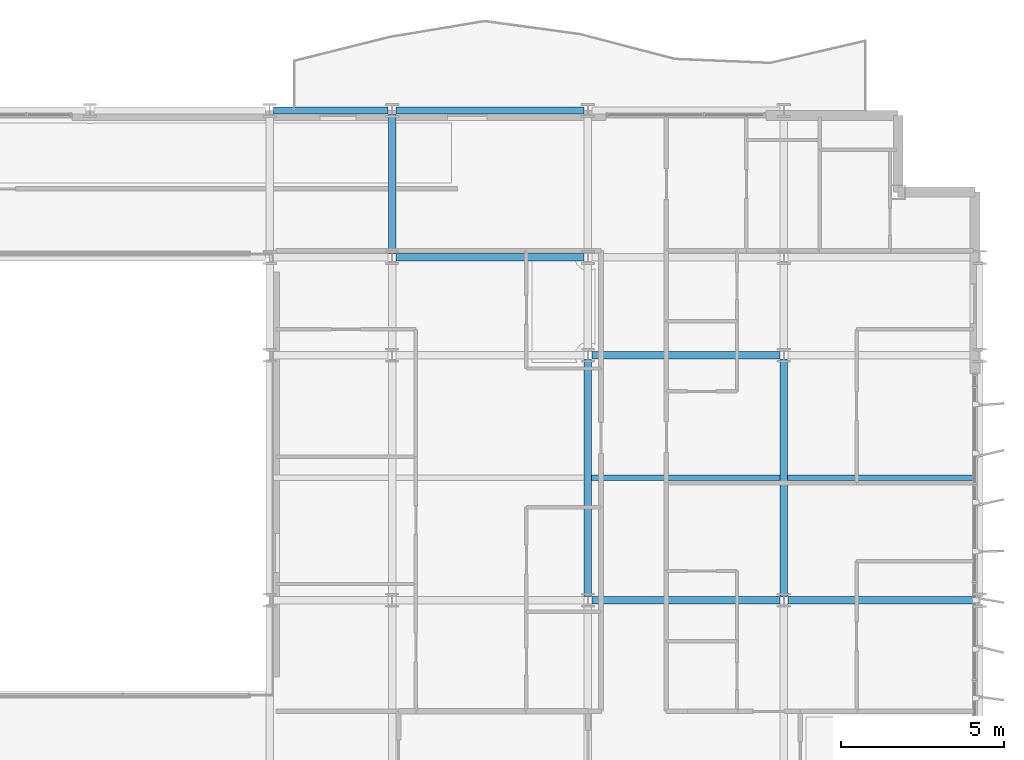
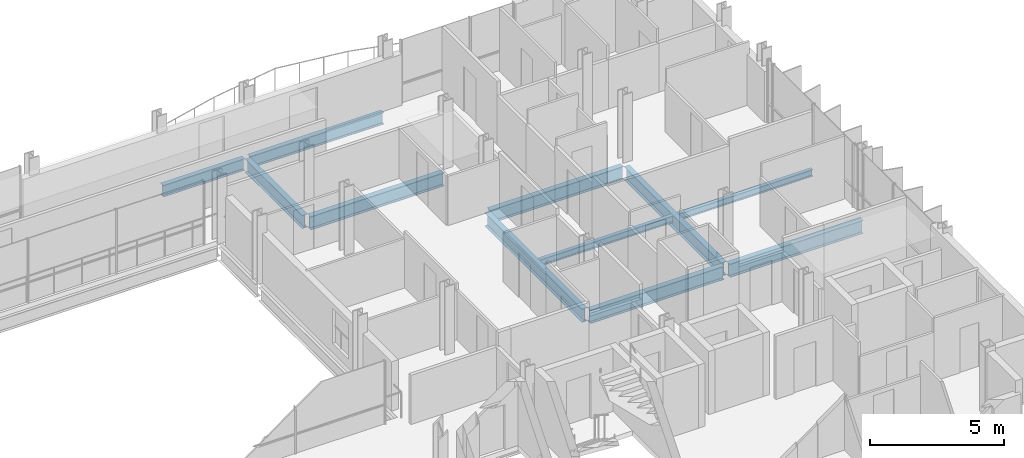
# One storey, part 18 of 39: 11 beams.
"""IFC4 building model written with IfcOpenShell, lengths in metres."""

from ifc_helpers import new_model, si_unit, direction, frame, origin, origin_2d, place, context, subcontext, project, spatial, i_section, extrude, material, material_profile, profile_set, type_object, element, save


model = new_model("IFC4")

# Units and contexts
model_context = context("Model", 3, precision=1e-05, world=origin(), true_north=direction((0.0, 1.0)))
body_context = subcontext(model_context, "Body", "Model", "MODEL_VIEW")
ifc_project = project(units=[si_unit("LENGTHUNIT", "METRE"), si_unit("AREAUNIT", "SQUARE_METRE"), si_unit("VOLUMEUNIT", "CUBIC_METRE"), si_unit("PLANEANGLEUNIT", "RADIAN"), si_unit("MASSUNIT", "GRAM", prefix="KILO")], contexts=[model_context])

# Site, building, storey
site_placement = place(None, origin())
site = spatial("IfcSite", under=ifc_project, at=site_placement, CompositionType="ELEMENT")
building_placement = place(site_placement, origin())
building = spatial("IfcBuilding", under=site, at=building_placement, Name="Brevholm Reach", CompositionType="ELEMENT")
storey_placement = place(building_placement, frame((0.0, 0.0, 115.89990234375)))
storey = spatial("IfcBuildingStorey", under=building, at=storey_placement, Name="L34", CompositionType="ELEMENT", Elevation=115.89990234375)

# Beams
ifc_material_1 = material(Name="Structural Steel S355J2", Category="steel")
ifc_material_profile_1 = material_profile(ifc_material_1, i_section(OverallWidth=0.1650390625, OverallDepth=0.303466796875, WebThickness=0.006103515625, FlangeThickness=0.01025390625, FilletRadius=0.0087890625, at=origin_2d()), Name="UKB 305x165x40")
ifc_profile_set_1 = profile_set([ifc_material_profile_1], Name="Structural Steel S355J2")
beam_type_1 = type_object("IfcBeamType", Name="BM-B305", PredefinedType="BEAM", material=ifc_profile_set_1)
beam_1_placement = place(storey_placement, frame((48.114501953125, 19.75, -0.37158203125), z_axis=(1.0, 0.0, 0.0), x_axis=(0.0, 1.0, 0.0)))
element("IfcBeam", 1, at=beam_1_placement, inside=storey, type_object=beam_type_1, Name="L34 Composite Secondary Floor Beam", PredefinedType="BEAM", context=body_context, shape_type="SweptSolid", body=[
    extrude(i_section(OverallWidth=0.1650390625, OverallDepth=0.303466796875, WebThickness=0.006103515625, FlangeThickness=0.01025390625, FilletRadius=0.0087890625, at=origin_2d()), origin(), (0.0, 0.0, 1.0), 5.77099609375),
])
beam_2_placement = place(storey_placement, frame((54.114501953125, 19.75, -0.37158203125), z_axis=(1.0, 0.0, 0.0), x_axis=(0.0, 1.0, 0.0)))
element("IfcBeam", 2, at=beam_2_placement, inside=storey, type_object=beam_type_1, Name="L34 Composite Secondary Floor Beam", PredefinedType="BEAM", context=body_context, shape_type="SweptSolid", body=[
    extrude(i_section(OverallWidth=0.1650390625, OverallDepth=0.303466796875, WebThickness=0.006103515625, FlangeThickness=0.01025390625, FilletRadius=0.0087890625, at=origin_2d()), origin(), (0.0, 0.0, 1.0), 5.78076171875),
])
ifc_material_2 = material(Name="Structural Steel S355J2", Category="steel")
ifc_material_profile_2 = material_profile(ifc_material_2, i_section(OverallWidth=0.209228515625, OverallDepth=0.533203125, WebThickness=0.010009765625, FlangeThickness=0.015625, FilletRadius=0.0126953125, at=origin_2d()), Name="UKB 533x210x92")
ifc_profile_set_2 = profile_set([ifc_material_profile_2], Name="Structural Steel S355J2")
beam_type_2 = type_object("IfcBeamType", Name="BM-SP533", PredefinedType="SPANDREL", material=ifc_profile_set_2)
beam_3_placement = place(storey_placement, frame((38.3701171875, 31.0, -0.486572265625), z_axis=(1.0, 0.0, 0.0), x_axis=(0.0, 1.0, 0.0)))
element("IfcBeam", 3, at=beam_3_placement, inside=storey, type_object=beam_type_2, Name="L34 SP-02 Framing Beam", PredefinedType="SPANDREL", context=body_context, shape_type="SweptSolid", body=[
    extrude(i_section(OverallWidth=0.209228515625, OverallDepth=0.533203125, WebThickness=0.010009765625, FlangeThickness=0.015625, FilletRadius=0.0126953125, at=origin_2d()), origin(), (0.0, 0.0, 1.0), 3.509765625),
])
beam_4_placement = place(storey_placement, frame((42.1201171875, 31.0, -0.486572265625), z_axis=(1.0, 0.0, 0.0), x_axis=(0.0, 1.0, 0.0)))
element("IfcBeam", 4, at=beam_4_placement, inside=storey, type_object=beam_type_2, Name="L34 SP-02 Framing Beam", PredefinedType="SPANDREL", context=body_context, shape_type="SweptSolid", body=[
    extrude(i_section(OverallWidth=0.209228515625, OverallDepth=0.533203125, WebThickness=0.010009765625, FlangeThickness=0.015625, FilletRadius=0.0126953125, at=origin_2d()), origin(), (0.0, 0.0, 1.0), 5.759765625),
])
ifc_material_3 = material(Name="Structural Steel S355J2", Category="steel")
ifc_material_profile_3 = material_profile(ifc_material_3, i_section(OverallWidth=0.22900390625, OverallDepth=0.6123046875, WebThickness=0.011962890625, FlangeThickness=0.01953125, FilletRadius=0.0126953125, at=origin_2d()), Name="UKB 610x229x125")
ifc_profile_set_3 = profile_set([ifc_material_profile_3], Name="Structural Steel S355J2")
beam_type_3 = type_object("IfcBeamType", Name="BM-SP610", PredefinedType="SPANDREL", material=ifc_profile_set_3)
for number, where, z_axis, x_axis, name in (
    (5, (48.1201171875, 16.0, -0.526123046875), (1.0, 0.0, 0.0), (0.0, 1.0, 0.0), "L34 SP-01 Framing Beam"),
    (6, (54.1201171875, 16.0, -0.526123046875), (1.0, 0.0, 0.0), (0.0, 1.0, 0.0), "L34 SP-01 Framing Beam"),
    (7, (48.1201171875, 23.5, -0.526123046875), (1.0, 0.0, 0.0), (0.0, 1.0, 0.0), "L34 SP-01 Framing Beam"),
    (8, (42.1201171875, 26.5, -0.526123046875), (1.0, 0.0, 0.0), (0.0, 1.0, 0.0), "L34 SP-01 Framing Beam"),
):
    element("IfcBeam", number, at=place(storey_placement, frame(where, z_axis=z_axis, x_axis=x_axis)), inside=storey, type_object=beam_type_3, Name=name, PredefinedType="SPANDREL", context=body_context, shape_type="SweptSolid", body=[
        extrude(i_section(OverallWidth=0.22900390625, OverallDepth=0.6123046875, WebThickness=0.011962890625, FlangeThickness=0.01953125, FilletRadius=0.0126953125, at=origin_2d()), origin(), (0.0, 0.0, 1.0), 5.759765625),
    ])
beam_5_placement = place(storey_placement, frame((42.0, 26.6201171875, -0.526123046875), z_axis=(0.0, 1.0, 0.0), x_axis=(-1.0, 0.0, 0.0)))
element("IfcBeam", 9, at=beam_5_placement, inside=storey, type_object=beam_type_3, Name="L34 SP-01 Framing Beam", PredefinedType="SPANDREL", context=body_context, shape_type="SweptSolid", body=[
    extrude(i_section(OverallWidth=0.22900390625, OverallDepth=0.6123046875, WebThickness=0.011962890625, FlangeThickness=0.01953125, FilletRadius=0.0126953125, at=origin_2d()), origin(), (0.0, 0.0, 1.0), 4.259765625),
])
for number, where, z_axis, x_axis, name in (
    (10, (48.0, 16.1201171875, -0.526123046875), (0.0, 1.0, 0.0), (-1.0, 0.0, 0.0), "L34 SP-01 Framing Beam"),
    (11, (54.0, 16.1201171875, -0.526123046875), (0.0, 1.0, 0.0), (-1.0, 0.0, 0.0), "L34 SP-01 Framing Beam"),
):
    element("IfcBeam", number, at=place(storey_placement, frame(where, z_axis=z_axis, x_axis=x_axis)), inside=storey, type_object=beam_type_3, Name=name, PredefinedType="SPANDREL", context=body_context, shape_type="SweptSolid", body=[
        extrude(i_section(OverallWidth=0.22900390625, OverallDepth=0.6123046875, WebThickness=0.011962890625, FlangeThickness=0.01953125, FilletRadius=0.0126953125, at=origin_2d()), origin(), (0.0, 0.0, 1.0), 7.259765625),
    ])

save(model, "model.ifc")
